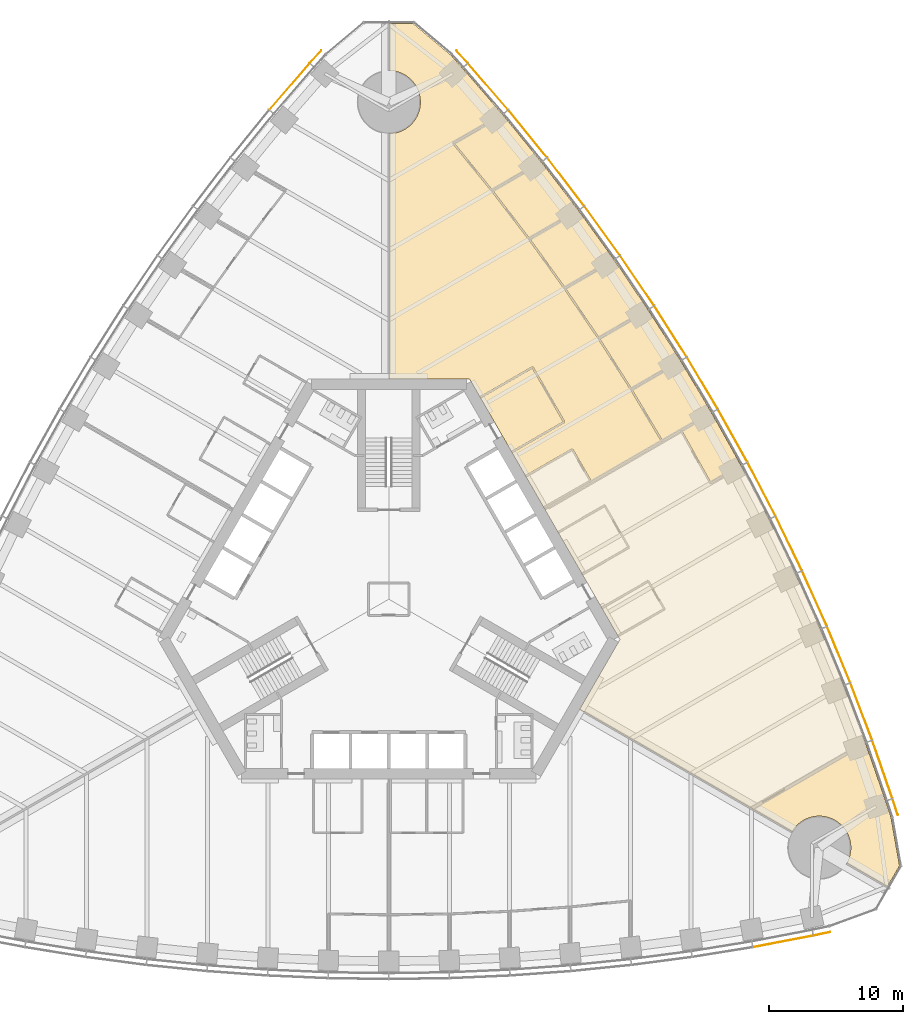
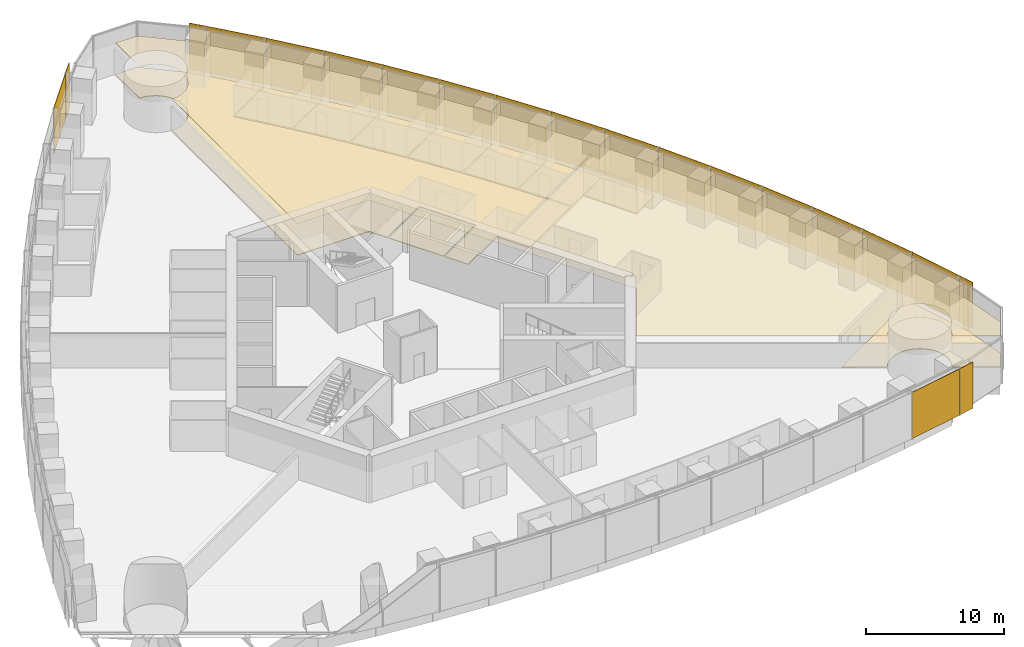
# One storey, part 16 of 18: 20 shading devices, 11 coverings.
"""IFC4 building model written with IfcOpenShell, lengths in metres."""

from ifc_helpers import new_model, si_unit, direction, frame, origin, origin_2d, place, context, subcontext, project, spatial, polyline, rectangle, outline, extrude, material, layer, layer_set, type_object, element, save


model = new_model("IFC4")

# Units and contexts
model_context = context("Model", 3, precision=1e-05, world=origin(), true_north=direction((0.0, 1.0)))
body_context = subcontext(model_context, "Body", "Model", "MODEL_VIEW")
ifc_project = project(units=[si_unit("LENGTHUNIT", "METRE"), si_unit("AREAUNIT", "SQUARE_METRE"), si_unit("VOLUMEUNIT", "CUBIC_METRE"), si_unit("PLANEANGLEUNIT", "RADIAN"), si_unit("MASSUNIT", "GRAM", prefix="KILO")], contexts=[model_context])

# Site, building, storey
site_placement = place(None, origin())
site = spatial("IfcSite", under=ifc_project, at=site_placement, CompositionType="ELEMENT")
building_placement = place(site_placement, origin())
building = spatial("IfcBuilding", under=site, at=building_placement, Name="Trefoil Bronze Tower", CompositionType="ELEMENT")
storey_placement = place(building_placement, frame((0.0, 0.0, 37.5)))
storey = spatial("IfcBuildingStorey", under=building, at=storey_placement, Name="L08", CompositionType="ELEMENT", Elevation=37.5)

# Shading devices
ifc_material_1 = material(Name="Perforated bronze sheet", Category="bronze")
ifc_layer_1 = layer(ifc_material_1, 0.0400390625)
ifc_layer_set_1 = layer_set([ifc_layer_1], Name="Bronze solar screen panel")
shading_device_type = type_object("IfcShadingDeviceType", Name="Bronze solar screen panel", PredefinedType="SHUTTER", material=ifc_layer_set_1)
shading_device_1_placement = place(storey_placement, frame((29.351806640625, -25.478515625, 0.050048828125), z_axis=(0.0, 0.0, 1.0), x_axis=(0.982049823817, 0.188621694249, 0.0)))
element("IfcShadingDevice", 1, at=shading_device_1_placement, inside=storey, type_object=shading_device_type, Name="Solar screen CW-A L08 F1 bay 15", PredefinedType="SHUTTER", context=body_context, shape_type="SweptSolid", body=[
    extrude(rectangle(XDim=4.55224609375, YDim=0.0400390625, at=origin_2d()), origin(), (0.0, 0.0, 1.0), 4.10009765625),
])
for number, where, z_axis, x_axis, name in (
    (2, (32.2431640625, -24.91064453125, 0.050048828125), (0.0, 0.0, 1.0), (0.978302717041, 0.207180582657, 0.0), "Solar screen CW-A L08 F1 bay 16"),
    (3, (37.69482421875, -15.468017578125, 0.050048828125), (0.0, 0.0, 1.0), (-0.309727710769, 0.950825296877, 0.0), "Solar screen CW-A L08 F2 bay 1"),
):
    element("IfcShadingDevice", number, at=place(storey_placement, frame(where, z_axis=z_axis, x_axis=x_axis)), inside=storey, type_object=shading_device_type, Name=name, PredefinedType="SHUTTER", context=body_context, shape_type="SweptSolid", body=[
        extrude(rectangle(XDim=1.260498046875, YDim=0.0400390625, at=origin_2d()), origin(), (0.0, 0.0, 1.0), 4.10009765625),
    ])
shading_device_2_placement = place(storey_placement, frame((36.740966796875, -12.68017578125, 0.050048828125), z_axis=(0.0, 0.0, 1.0), x_axis=(-0.327673732984, 0.944790942332, 0.0)))
element("IfcShadingDevice", 4, at=shading_device_2_placement, inside=storey, type_object=shading_device_type, Name="Solar screen CW-A L08 F2 bay 2", PredefinedType="SHUTTER", context=body_context, shape_type="SweptSolid", body=[
    extrude(rectangle(XDim=4.55224609375, YDim=0.0400390625, at=origin_2d()), origin(), (0.0, 0.0, 1.0), 4.10009765625),
])
shading_device_3_placement = place(storey_placement, frame((35.1748046875, -8.3701171875, 0.050048828125), z_axis=(0.0, 0.0, 1.0), x_axis=(-0.355370585687, 0.934725492767, 0.0)))
element("IfcShadingDevice", 5, at=shading_device_3_placement, inside=storey, type_object=shading_device_type, Name="Solar screen CW-A L08 F2 bay 3", PredefinedType="SHUTTER", context=body_context, shape_type="SweptSolid", body=[
    extrude(rectangle(XDim=4.5283203125, YDim=0.0400390625, at=origin_2d()), origin(), (0.0, 0.0, 1.0), 4.10009765625),
])
shading_device_4_placement = place(storey_placement, frame((33.49072265625, -4.128173828125, 0.050048828125), z_axis=(0.0, 0.0, 1.0), x_axis=(-0.382629580712, 0.923901836758, 0.0)))
element("IfcShadingDevice", 6, at=shading_device_4_placement, inside=storey, type_object=shading_device_type, Name="Solar screen CW-A L08 F2 bay 4", PredefinedType="SHUTTER", context=body_context, shape_type="SweptSolid", body=[
    extrude(rectangle(XDim=4.5087890625, YDim=0.0400390625, at=origin_2d()), origin(), (0.0, 0.0, 1.0), 4.10009765625),
])
shading_device_5_placement = place(storey_placement, frame((31.68994140625, 0.04638671875, 0.050048828125), z_axis=(0.0, 0.0, 1.0), x_axis=(-0.40945635808, 0.912329705111, 0.0)))
element("IfcShadingDevice", 7, at=shading_device_5_placement, inside=storey, type_object=shading_device_type, Name="Solar screen CW-A L08 F2 bay 5", PredefinedType="SHUTTER", context=body_context, shape_type="SweptSolid", body=[
    extrude(rectangle(XDim=4.493408203125, YDim=0.0400390625, at=origin_2d()), origin(), (0.0, 0.0, 1.0), 4.10009765625),
])
shading_device_6_placement = place(storey_placement, frame((29.77392578125, 4.154541015625, 0.050048828125), z_axis=(0.0, 0.0, 1.0), x_axis=(-0.4358553457, 0.900016731858, 0.0)))
element("IfcShadingDevice", 8, at=shading_device_6_placement, inside=storey, type_object=shading_device_type, Name="Solar screen CW-A L08 F2 bay 6", PredefinedType="SHUTTER", context=body_context, shape_type="SweptSolid", body=[
    extrude(rectangle(XDim=4.48193359375, YDim=0.0400390625, at=origin_2d()), origin(), (0.0, 0.0, 1.0), 4.10009765625),
])
shading_device_7_placement = place(storey_placement, frame((27.74365234375, 8.1962890625, 0.050048828125), z_axis=(0.0, 0.0, 1.0), x_axis=(-0.46182981834, 0.886968555752, 0.0)))
element("IfcShadingDevice", 9, at=shading_device_7_placement, inside=storey, type_object=shading_device_type, Name="Solar screen CW-A L08 F2 bay 7", PredefinedType="SHUTTER", context=body_context, shape_type="SweptSolid", body=[
    extrude(rectangle(XDim=4.474365234375, YDim=0.0400390625, at=origin_2d()), origin(), (0.0, 0.0, 1.0), 4.10009765625),
])
for number, where, z_axis, x_axis, name in (
    (10, (25.599365234375, 12.172607421875, 0.050048828125), (0.0, 0.0, 1.0), (-0.487381940453, 0.873188893722, 0.0), "Solar screen CW-A L08 F2 bay 8"),
    (11, (23.341552734375, 16.083251953125, 0.050048828125), (0.0, 0.0, 1.0), (-0.51251279404, 0.858679588639, 0.0), "Solar screen CW-A L08 F2 bay 9"),
):
    element("IfcShadingDevice", number, at=place(storey_placement, frame(where, z_axis=z_axis, x_axis=x_axis)), inside=storey, type_object=shading_device_type, Name=name, PredefinedType="SHUTTER", context=body_context, shape_type="SweptSolid", body=[
        extrude(rectangle(XDim=4.470458984375, YDim=0.0400390625, at=origin_2d()), origin(), (0.0, 0.0, 1.0), 4.10009765625),
    ])
shading_device_8_placement = place(storey_placement, frame((20.97021484375, 19.928466796875, 0.050048828125), z_axis=(0.0, 0.0, 1.0), x_axis=(-0.537222392469, 0.843440632783, 0.0)))
element("IfcShadingDevice", 12, at=shading_device_8_placement, inside=storey, type_object=shading_device_type, Name="Solar screen CW-A L08 F2 bay 10", PredefinedType="SHUTTER", context=body_context, shape_type="SweptSolid", body=[
    extrude(rectangle(XDim=4.474365234375, YDim=0.0400390625, at=origin_2d()), origin(), (0.0, 0.0, 1.0), 4.10009765625),
])
shading_device_9_placement = place(storey_placement, frame((18.48486328125, 23.707763671875, 0.050048828125), z_axis=(0.0, 0.0, 1.0), x_axis=(-0.56150968077, 0.827470167681, 0.0)))
element("IfcShadingDevice", 13, at=shading_device_9_placement, inside=storey, type_object=shading_device_type, Name="Solar screen CW-A L08 F2 bay 11", PredefinedType="SHUTTER", context=body_context, shape_type="SweptSolid", body=[
    extrude(rectangle(XDim=4.48193359375, YDim=0.0400390625, at=origin_2d()), origin(), (0.0, 0.0, 1.0), 4.10009765625),
])
shading_device_10_placement = place(storey_placement, frame((15.88525390625, 27.421142578125, 0.050048828125), z_axis=(0.0, 0.0, 1.0), x_axis=(-0.585372522213, 0.810764460394, 0.0)))
element("IfcShadingDevice", 14, at=shading_device_10_placement, inside=storey, type_object=shading_device_type, Name="Solar screen CW-A L08 F2 bay 12", PredefinedType="SHUTTER", context=body_context, shape_type="SweptSolid", body=[
    extrude(rectangle(XDim=4.493408203125, YDim=0.0400390625, at=origin_2d()), origin(), (0.0, 0.0, 1.0), 4.10009765625),
])
shading_device_11_placement = place(storey_placement, frame((13.170166015625, 31.06787109375, 0.050048828125), z_axis=(0.0, 0.0, 1.0), x_axis=(-0.608807670879, 0.793317855515, 0.0)))
element("IfcShadingDevice", 15, at=shading_device_11_placement, inside=storey, type_object=shading_device_type, Name="Solar screen CW-A L08 F2 bay 13", PredefinedType="SHUTTER", context=body_context, shape_type="SweptSolid", body=[
    extrude(rectangle(XDim=4.5087890625, YDim=0.0400390625, at=origin_2d()), origin(), (0.0, 0.0, 1.0), 4.10009765625),
])
shading_device_12_placement = place(storey_placement, frame((10.338623046875, 34.6474609375, 0.050048828125), z_axis=(0.0, 0.0, 1.0), x_axis=(-0.631810729457, 0.775122701346, 0.0)))
element("IfcShadingDevice", 16, at=shading_device_12_placement, inside=storey, type_object=shading_device_type, Name="Solar screen CW-A L08 F2 bay 14", PredefinedType="SHUTTER", context=body_context, shape_type="SweptSolid", body=[
    extrude(rectangle(XDim=4.5283203125, YDim=0.0400390625, at=origin_2d()), origin(), (0.0, 0.0, 1.0), 4.10009765625),
])
shading_device_13_placement = place(storey_placement, frame((7.38916015625, 38.15869140625, 0.050048828125), z_axis=(0.0, 0.0, 1.0), x_axis=(-0.654376090833, 0.756169248083, 0.0)))
element("IfcShadingDevice", 17, at=shading_device_13_placement, inside=storey, type_object=shading_device_type, Name="Solar screen CW-A L08 F2 bay 15", PredefinedType="SHUTTER", context=body_context, shape_type="SweptSolid", body=[
    extrude(rectangle(XDim=4.55224609375, YDim=0.0400390625, at=origin_2d()), origin(), (0.0, 0.0, 1.0), 4.10009765625),
])
for number, where, z_axis, x_axis, name in (
    (18, (5.45166015625, 40.378662109375, 0.050048828125), (0.0, 0.0, 1.0), (-0.668575006272, 0.743644714221, 0.0), "Solar screen CW-A L08 F2 bay 16"),
    (19, (-5.45166015625, 40.378662109375, 0.050048828125), (0.0, 0.0, 1.0), (-0.668575006272, -0.743644714221, 0.0), "Solar screen CW-A L08 F3 bay 1"),
):
    element("IfcShadingDevice", number, at=place(storey_placement, frame(where, z_axis=z_axis, x_axis=x_axis)), inside=storey, type_object=shading_device_type, Name=name, PredefinedType="SHUTTER", context=body_context, shape_type="SweptSolid", body=[
        extrude(rectangle(XDim=1.260498046875, YDim=0.0400390625, at=origin_2d()), origin(), (0.0, 0.0, 1.0), 4.10009765625),
    ])
shading_device_14_placement = place(storey_placement, frame((-7.38916015625, 38.15869140625, 0.050048828125), z_axis=(0.0, 0.0, 1.0), x_axis=(-0.654376090833, -0.756169248083, 0.0)))
element("IfcShadingDevice", 20, at=shading_device_14_placement, inside=storey, type_object=shading_device_type, Name="Solar screen CW-A L08 F3 bay 2", PredefinedType="SHUTTER", context=body_context, shape_type="SweptSolid", body=[
    extrude(rectangle(XDim=4.55224609375, YDim=0.0400390625, at=origin_2d()), origin(), (0.0, 0.0, 1.0), 4.10009765625),
])

# Coverings
ifc_material_2 = material(Name="Acoustic ceiling panels", Category="mineral fibre")
ifc_layer_2 = layer(ifc_material_2, 0.02001953125)
ifc_layer_set_2 = layer_set([ifc_layer_2], Name="Office ceiling 20")
covering_type_1 = type_object("IfcCoveringType", Name="Office ceiling 20", PredefinedType="CEILING", material=ifc_layer_set_2)
covering_1_placement = place(storey_placement, frame((0.0, 0.0, 2.89990234375)))
element("IfcCovering", 21, at=covering_1_placement, inside=storey, type_object=covering_type_1, Name="Ceiling L08 Open-plan office F2", PredefinedType="CEILING", context=body_context, shape_type="SweptSolid", body=[
    extrude(outline(polyline([(5.4814453125, 39.537841796875), (8.47998046875, 36.072998046875), (11.360107421875, 32.53955078125), (14.123291015625, 28.938720703125), (16.771240234375, 25.271484375), (19.3046875, 21.537841796875), (21.724609375, 17.73876953125), (24.031005859375, 13.87451171875), (26.224609375, 9.944580078125), (28.3046875, 5.949462890625), (30.271240234375, 1.888671875), (32.123291015625, -2.23828125), (33.860107421875, -6.431640625), (35.47998046875, -10.6923828125), (36.9814453125, -15.021728515625), (37.381103515625, -16.248779296875), (38.0146484375, -19.841552734375), (37.110595703125, -21.4072265625), (34.084716796875, -19.661865234375), (34.115478515625, -19.60791015625), (34.167236328125, -19.5048828125), (34.214111328125, -19.3994140625), (34.255615234375, -19.291748046875), (34.291748046875, -19.18212890625), (34.322509765625, -19.071044921875), (34.347900390625, -18.95849609375), (34.367431640625, -18.8447265625), (34.381591796875, -18.730224609375), (34.39013671875, -18.615234375), (34.392822265625, -18.5), (34.39013671875, -18.384765625), (34.381591796875, -18.269775390625), (34.367431640625, -18.1552734375), (34.347900390625, -18.04150390625), (34.322509765625, -17.928955078125), (34.291748046875, -17.81787109375), (34.255615234375, -17.708251953125), (34.214111328125, -17.6005859375), (34.167236328125, -17.4951171875), (34.115478515625, -17.39208984375), (34.05859375, -17.2919921875), (33.996826171875, -17.1943359375), (33.930419921875, -17.10009765625), (33.859619140625, -17.00927734375), (33.7841796875, -16.921875), (33.70458984375, -16.83837890625), (33.62109375, -16.7587890625), (33.53369140625, -16.683349609375), (33.44287109375, -16.612548828125), (33.348388671875, -16.5458984375), (33.251220703125, -16.484375), (33.150634765625, -16.427490234375), (33.047607421875, -16.37548828125), (32.942138671875, -16.328857421875), (32.834716796875, -16.287353515625), (32.72509765625, -16.251220703125), (32.614013671875, -16.220458984375), (32.50146484375, -16.1953125), (32.3876953125, -16.17529296875), (32.273193359375, -16.161376953125), (32.158203125, -16.15283203125), (32.04296875, -16.14990234375), (31.927490234375, -16.15283203125), (31.8125, -16.161376953125), (31.697998046875, -16.17529296875), (31.58447265625, -16.1953125), (31.471923828125, -16.220458984375), (31.36083984375, -16.251220703125), (31.251220703125, -16.287353515625), (31.1435546875, -16.328857421875), (31.0380859375, -16.37548828125), (30.935302734375, -16.427490234375), (30.834716796875, -16.484375), (30.7373046875, -16.5458984375), (30.64306640625, -16.612548828125), (30.552001953125, -16.683349609375), (30.46484375, -16.7587890625), (30.381103515625, -16.83837890625), (30.3017578125, -16.921875), (30.226318359375, -17.00927734375), (30.155517578125, -17.10009765625), (30.089111328125, -17.1943359375), (30.02734375, -17.2919921875), (30.0146484375, -17.31396484375), (14.205810546875, -8.194580078125), (17.205078125, -3.0), (6.00439453125, 16.39990234375), (0.006103515625, 16.39990234375), (0.012939453125, 34.650390625), (0.115234375, 34.65283203125), (0.230224609375, 34.661376953125), (0.3447265625, 34.67529296875), (0.45849609375, 34.6953125), (0.571044921875, 34.720458984375), (0.68212890625, 34.751220703125), (0.791748046875, 34.787353515625), (0.8994140625, 34.828857421875), (1.0048828125, 34.87548828125), (1.10791015625, 34.927490234375), (1.2080078125, 34.984375), (1.3056640625, 35.0458984375), (1.39990234375, 35.112548828125), (1.49072265625, 35.183349609375), (1.578125, 35.2587890625), (1.66162109375, 35.33837890625), (1.7412109375, 35.421875), (1.816650390625, 35.50927734375), (1.887451171875, 35.60009765625), (1.9541015625, 35.6943359375), (2.015625, 35.7919921875), (2.072509765625, 35.89208984375), (2.12451171875, 35.9951171875), (2.171142578125, 36.1005859375), (2.212646484375, 36.208251953125), (2.248779296875, 36.31787109375), (2.279541015625, 36.428955078125), (2.3046875, 36.54150390625), (2.32470703125, 36.6552734375), (2.338623046875, 36.769775390625), (2.34716796875, 36.884765625), (2.35009765625, 37.0), (2.34716796875, 37.115234375), (2.338623046875, 37.230224609375), (2.32470703125, 37.3447265625), (2.3046875, 37.45849609375), (2.279541015625, 37.571044921875), (2.248779296875, 37.68212890625), (2.212646484375, 37.791748046875), (2.171142578125, 37.8994140625), (2.12451171875, 38.0048828125), (2.072509765625, 38.10791015625), (2.015625, 38.2080078125), (1.9541015625, 38.3056640625), (1.887451171875, 38.39990234375), (1.816650390625, 38.49072265625), (1.7412109375, 38.578125), (1.66162109375, 38.66162109375), (1.578125, 38.7412109375), (1.49072265625, 38.816650390625), (1.39990234375, 38.887451171875), (1.3056640625, 38.9541015625), (1.2080078125, 39.015625), (1.10791015625, 39.072509765625), (1.0048828125, 39.12451171875), (0.8994140625, 39.171142578125), (0.791748046875, 39.212646484375), (0.68212890625, 39.248779296875), (0.571044921875, 39.279541015625), (0.45849609375, 39.3046875), (0.3447265625, 39.32470703125), (0.230224609375, 39.338623046875), (0.115234375, 39.34716796875), (0.014892578125, 39.349609375), (0.01611328125, 42.84228515625), (1.82421875, 42.84228515625), (4.618896484375, 40.497314453125), (5.4814453125, 39.537841796875)])), origin(), (0.0, 0.0, 1.0), 0.02001953125),
])
ifc_material_3 = material(Name="Raised access floor panels", Category="steel")
ifc_layer_3 = layer(ifc_material_3, 0.050048828125)
ifc_layer_set_3 = layer_set([ifc_layer_3], Name="Raised access floor 150")
covering_type_2 = type_object("IfcCoveringType", Name="Raised access floor 150", PredefinedType="FLOORING", material=ifc_layer_set_3)
covering_2_placement = place(storey_placement, frame((0.0, 0.0, 0.10009765625)))
element("IfcCovering", 22, at=covering_2_placement, inside=storey, type_object=covering_type_2, Name="Raised floor L08 Boardroom F2", PredefinedType="FLOORING", context=body_context, shape_type="SweptSolid", body=[
    extrude(outline(polyline([(30.0146484375, -17.31396484375), (27.11181640625, -15.639404296875), (34.140625, -11.581298828125), (34.090576171875, -11.49462890625), (35.47998046875, -10.6923828125), (36.9814453125, -15.021728515625), (37.381103515625, -16.248779296875), (38.0146484375, -19.841552734375), (37.110595703125, -21.4072265625), (34.084716796875, -19.661865234375), (34.115478515625, -19.60791015625), (34.167236328125, -19.5048828125), (34.214111328125, -19.3994140625), (34.255615234375, -19.291748046875), (34.291748046875, -19.18212890625), (34.322509765625, -19.071044921875), (34.347900390625, -18.95849609375), (34.367431640625, -18.8447265625), (34.381591796875, -18.730224609375), (34.39013671875, -18.615234375), (34.392822265625, -18.5), (34.39013671875, -18.384765625), (34.381591796875, -18.269775390625), (34.367431640625, -18.1552734375), (34.347900390625, -18.04150390625), (34.322509765625, -17.928955078125), (34.291748046875, -17.81787109375), (34.255615234375, -17.708251953125), (34.214111328125, -17.6005859375), (34.167236328125, -17.4951171875), (34.115478515625, -17.39208984375), (34.05859375, -17.2919921875), (33.996826171875, -17.1943359375), (33.930419921875, -17.10009765625), (33.859619140625, -17.00927734375), (33.7841796875, -16.921875), (33.70458984375, -16.83837890625), (33.62109375, -16.7587890625), (33.53369140625, -16.683349609375), (33.44287109375, -16.612548828125), (33.348388671875, -16.5458984375), (33.251220703125, -16.484375), (33.150634765625, -16.427490234375), (33.047607421875, -16.37548828125), (32.942138671875, -16.328857421875), (32.834716796875, -16.287353515625), (32.72509765625, -16.251220703125), (32.614013671875, -16.220458984375), (32.50146484375, -16.1953125), (32.3876953125, -16.17529296875), (32.273193359375, -16.161376953125), (32.158203125, -16.15283203125), (32.04296875, -16.14990234375), (31.927490234375, -16.15283203125), (31.8125, -16.161376953125), (31.697998046875, -16.17529296875), (31.58447265625, -16.1953125), (31.471923828125, -16.220458984375), (31.36083984375, -16.251220703125), (31.251220703125, -16.287353515625), (31.1435546875, -16.328857421875), (31.0380859375, -16.37548828125), (30.935302734375, -16.427490234375), (30.834716796875, -16.484375), (30.7373046875, -16.5458984375), (30.64306640625, -16.612548828125), (30.552001953125, -16.683349609375), (30.46484375, -16.7587890625), (30.381103515625, -16.83837890625), (30.3017578125, -16.921875), (30.226318359375, -17.00927734375), (30.155517578125, -17.10009765625), (30.089111328125, -17.1943359375), (30.02734375, -17.2919921875), (30.0146484375, -17.31396484375)])), origin(), (0.0, 0.0, 1.0), 0.0498046875),
])
covering_3_placement = place(storey_placement, frame((0.0, 0.0, 0.10009765625)))
element("IfcCovering", 23, at=covering_3_placement, inside=storey, type_object=covering_type_2, Name="Raised floor L08 Reception F2", PredefinedType="FLOORING", context=body_context, shape_type="SweptSolid", body=[
    extrude(outline(polyline([(6.834716796875, 14.9619140625), (10.679931640625, 17.181884765625), (12.969970703125, 13.215576171875), (9.124755859375, 10.99560546875), (6.834716796875, 14.9619140625)])), origin(), (0.0, 0.0, 1.0), 0.0498046875),
])
covering_4_placement = place(storey_placement, frame((0.0, 0.0, 0.10009765625)))
element("IfcCovering", 24, at=covering_4_placement, inside=storey, type_object=covering_type_2, Name="Raised floor L08 Office F2", PredefinedType="FLOORING", context=body_context, shape_type="SweptSolid", body=[
    extrude(outline(polyline([(11.360107421875, 32.53955078125), (9.977294921875, 31.7412109375), (9.947265625, 31.793212890625), (7.693603515625, 30.491943359375), (4.890380859375, 33.93115234375), (7.12060546875, 35.21875), (7.090576171875, 35.270751953125), (8.47998046875, 36.072998046875), (11.360107421875, 32.53955078125)])), origin(), (0.0, 0.0, 1.0), 0.0498046875),
])
covering_5_placement = place(storey_placement, frame((0.0, 0.0, 0.10009765625)))
element("IfcCovering", 25, at=covering_5_placement, inside=storey, type_object=covering_type_2, Name="Raised floor L08 Office F2", PredefinedType="FLOORING", context=body_context, shape_type="SweptSolid", body=[
    extrude(outline(polyline([(11.360107421875, 32.53955078125), (14.123291015625, 28.938720703125), (12.745849609375, 28.143310546875), (12.7158203125, 28.1953125), (10.45849609375, 26.89208984375), (7.768798828125, 30.396728515625), (10.007080078125, 31.689208984375), (9.977294921875, 31.7412109375), (11.360107421875, 32.53955078125)])), origin(), (0.0, 0.0, 1.0), 0.0498046875),
])
covering_6_placement = place(storey_placement, frame((0.0, 0.0, 0.10009765625)))
element("IfcCovering", 26, at=covering_6_placement, inside=storey, type_object=covering_type_2, Name="Raised floor L08 Office F2", PredefinedType="FLOORING", context=body_context, shape_type="SweptSolid", body=[
    extrude(outline(polyline([(16.771240234375, 25.271484375), (15.397705078125, 24.478515625), (15.367919921875, 24.5302734375), (13.107666015625, 23.225341796875), (10.5302734375, 26.794921875), (12.77587890625, 28.091552734375), (12.745849609375, 28.143310546875), (14.123291015625, 28.938720703125), (16.771240234375, 25.271484375)])), origin(), (0.0, 0.0, 1.0), 0.0498046875),
])
covering_7_placement = place(storey_placement, frame((0.0, 0.0, 0.10009765625)))
element("IfcCovering", 27, at=covering_7_placement, inside=storey, type_object=covering_type_2, Name="Raised floor L08 Office F2", PredefinedType="FLOORING", context=body_context, shape_type="SweptSolid", body=[
    extrude(outline(polyline([(16.771240234375, 25.271484375), (19.3046875, 21.537841796875), (17.93408203125, 20.74658203125), (17.904052734375, 20.798583984375), (15.642578125, 19.492919921875), (13.176513671875, 23.126708984375), (15.427734375, 24.426513671875), (15.397705078125, 24.478515625), (16.771240234375, 25.271484375)])), origin(), (0.0, 0.0, 1.0), 0.0498046875),
])
covering_8_placement = place(storey_placement, frame((0.0, 0.0, 0.10009765625)))
element("IfcCovering", 28, at=covering_8_placement, inside=storey, type_object=covering_type_2, Name="Raised floor L08 Office F2", PredefinedType="FLOORING", context=body_context, shape_type="SweptSolid", body=[
    extrude(outline(polyline([(21.724609375, 17.73876953125), (20.355712890625, 16.948486328125), (20.32568359375, 17.00048828125), (18.063720703125, 15.694580078125), (15.70849609375, 19.392333984375), (17.964111328125, 20.694580078125), (17.93408203125, 20.74658203125), (19.3046875, 21.537841796875), (21.724609375, 17.73876953125)])), origin(), (0.0, 0.0, 1.0), 0.0498046875),
])
covering_9_placement = place(storey_placement, frame((0.0, 0.0, 0.10009765625)))
element("IfcCovering", 29, at=covering_9_placement, inside=storey, type_object=covering_type_2, Name="Raised floor L08 Meeting room F2", PredefinedType="FLOORING", context=body_context, shape_type="SweptSolid", body=[
    extrude(outline(polyline([(21.724609375, 17.73876953125), (24.031005859375, 13.87451171875), (22.662841796875, 13.08447265625), (22.625244140625, 13.1494140625), (20.364013671875, 11.84375), (18.126708984375, 15.59228515625), (20.385498046875, 16.896484375), (20.355712890625, 16.948486328125), (21.724609375, 17.73876953125)])), origin(), (0.0, 0.0, 1.0), 0.0498046875),
])
covering_10_placement = place(storey_placement, frame((0.0, 0.0, 0.10009765625)))
element("IfcCovering", 30, at=covering_10_placement, inside=storey, type_object=covering_type_2, Name="Raised floor L08 Comms room F2", PredefinedType="FLOORING", context=body_context, shape_type="SweptSolid", body=[
    extrude(outline(polyline([(24.031005859375, 13.87451171875), (26.224609375, 9.944580078125), (24.855712890625, 9.154296875), (24.82568359375, 9.206298828125), (23.96533203125, 8.70947265625), (21.837646484375, 12.521484375), (22.7001953125, 13.019287109375), (22.662841796875, 13.08447265625), (24.031005859375, 13.87451171875)])), origin(), (0.0, 0.0, 1.0), 0.0498046875),
])
covering_11_placement = place(storey_placement, frame((0.0, 0.0, 0.10009765625)))
element("IfcCovering", 31, at=covering_11_placement, inside=storey, type_object=covering_type_2, Name="Raised floor L08 Open-plan office F2", PredefinedType="FLOORING", context=body_context, shape_type="SweptSolid", body=[
    extrude(outline(polyline([(7.090576171875, 35.270751953125), (7.060546875, 35.32275390625), (4.769287109375, 33.999755859375), (4.79931640625, 33.947998046875), (4.7529296875, 33.909912109375), (7.63232421875, 30.377197265625), (10.394775390625, 26.77783203125), (13.04150390625, 23.11181640625), (15.573974609375, 19.3798828125), (17.992919921875, 15.582275390625), (20.260009765625, 11.78369140625), (15.03125, 8.764892578125), (15.00634765625, 8.808349609375), (15.058349609375, 8.83837890625), (13.708251953125, 11.176513671875), (13.65625, 11.146484375), (13.626220703125, 11.198486328125), (10.162109375, 9.198486328125), (9.184814453125, 10.8916015625), (13.081787109375, 13.1416015625), (13.052001953125, 13.193603515625), (13.103759765625, 13.223388671875), (10.75390625, 17.293701171875), (10.701904296875, 17.263916015625), (10.671875, 17.31591796875), (6.774658203125, 15.06591796875), (6.00439453125, 16.39990234375), (0.006103515625, 16.39990234375), (0.012939453125, 34.650390625), (0.115234375, 34.65283203125), (0.230224609375, 34.661376953125), (0.3447265625, 34.67529296875), (0.45849609375, 34.6953125), (0.571044921875, 34.720458984375), (0.68212890625, 34.751220703125), (0.791748046875, 34.787353515625), (0.8994140625, 34.828857421875), (1.0048828125, 34.87548828125), (1.10791015625, 34.927490234375), (1.2080078125, 34.984375), (1.3056640625, 35.0458984375), (1.39990234375, 35.112548828125), (1.49072265625, 35.183349609375), (1.578125, 35.2587890625), (1.66162109375, 35.33837890625), (1.7412109375, 35.421875), (1.816650390625, 35.50927734375), (1.887451171875, 35.60009765625), (1.9541015625, 35.6943359375), (2.015625, 35.7919921875), (2.072509765625, 35.89208984375), (2.12451171875, 35.9951171875), (2.171142578125, 36.1005859375), (2.212646484375, 36.208251953125), (2.248779296875, 36.31787109375), (2.279541015625, 36.428955078125), (2.3046875, 36.54150390625), (2.32470703125, 36.6552734375), (2.338623046875, 36.769775390625), (2.34716796875, 36.884765625), (2.35009765625, 37.0), (2.34716796875, 37.115234375), (2.338623046875, 37.230224609375), (2.32470703125, 37.3447265625), (2.3046875, 37.45849609375), (2.279541015625, 37.571044921875), (2.248779296875, 37.68212890625), (2.212646484375, 37.791748046875), (2.171142578125, 37.8994140625), (2.12451171875, 38.0048828125), (2.072509765625, 38.10791015625), (2.015625, 38.2080078125), (1.9541015625, 38.3056640625), (1.887451171875, 38.39990234375), (1.816650390625, 38.49072265625), (1.7412109375, 38.578125), (1.66162109375, 38.66162109375), (1.578125, 38.7412109375), (1.49072265625, 38.816650390625), (1.39990234375, 38.887451171875), (1.3056640625, 38.9541015625), (1.2080078125, 39.015625), (1.10791015625, 39.072509765625), (1.0048828125, 39.12451171875), (0.8994140625, 39.171142578125), (0.791748046875, 39.212646484375), (0.68212890625, 39.248779296875), (0.571044921875, 39.279541015625), (0.45849609375, 39.3046875), (0.3447265625, 39.32470703125), (0.230224609375, 39.338623046875), (0.115234375, 39.34716796875), (0.014892578125, 39.349609375), (0.01611328125, 42.84228515625), (1.82421875, 42.84228515625), (4.618896484375, 40.497314453125), (5.4814453125, 39.537841796875), (8.47998046875, 36.072998046875), (7.090576171875, 35.270751953125)])), origin(), (0.0, 0.0, 1.0), 0.0498046875),
])

save(model, "model.ifc")
